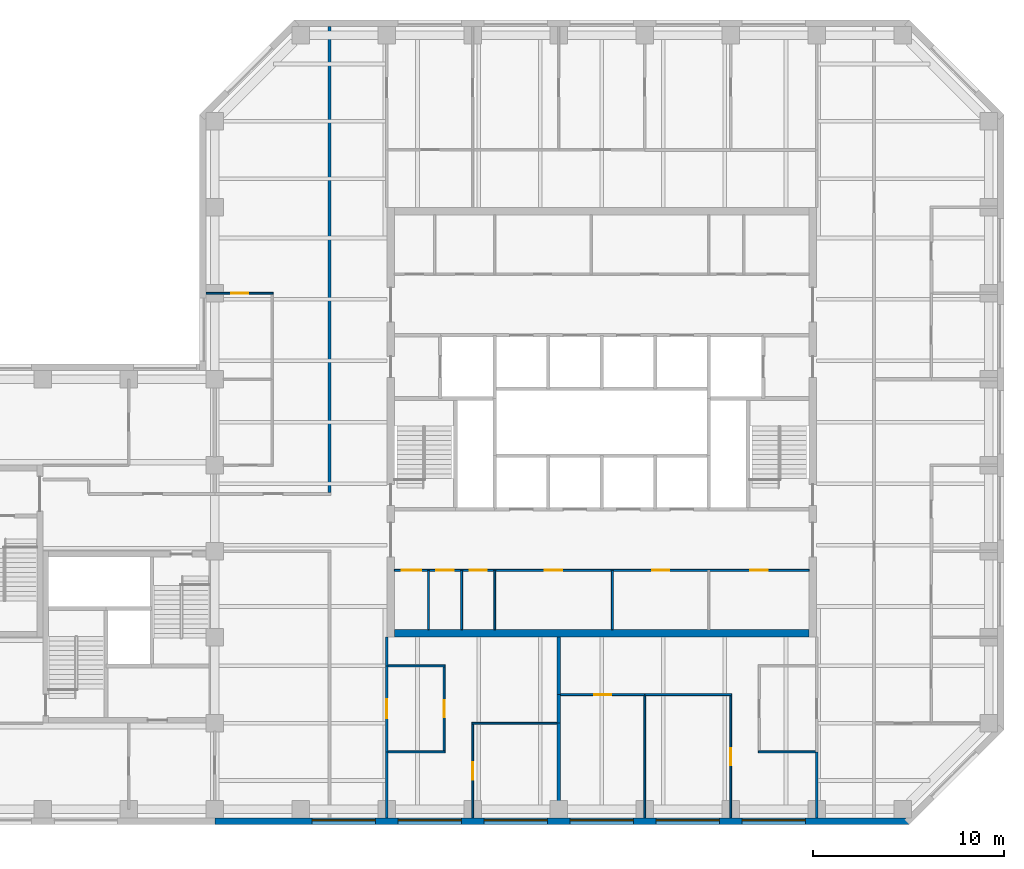
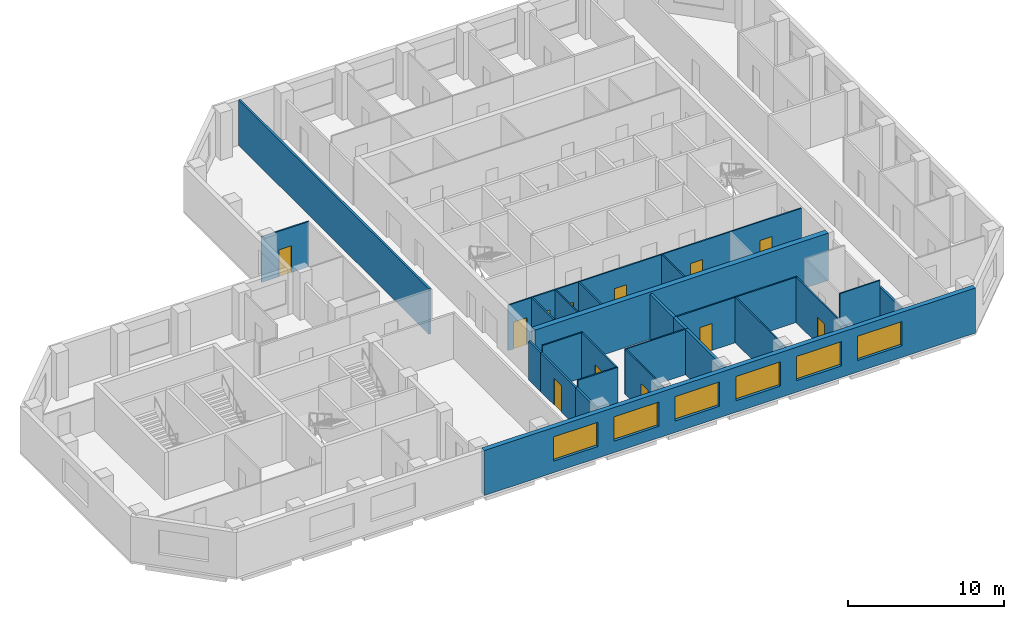
# One storey, part 4 of 9: 26 walls, 12 doors, 6 windows, 18 openings.
"""IFC4 building model written with IfcOpenShell, lengths in metres."""

import ifcopenshell
import ifcopenshell.guid

model = None  # the IFC model being written
_history = None  # IfcOwnerHistory: only IFC2X3 demands one
_inside = {}  # id of a spatial element -> (the spatial element, [elements in it])
_under = {}  # id of a project, library or spatial element -> (it, [spatial elements below it])
_declared = {}  # id of a project -> (the project, [libraries it declares])
_typed = {}  # id of a type object -> (the type object, [elements of that type])
_made_of = {}  # id of a material, layer set ... -> (it, [elements and type objects made of it])


def new_model(schema):
    """Start an empty IFC model of exactly this schema.

    Asked for "IFC4X3", IfcOpenShell would pick the latest addendum, in which some entities
    have other attributes; the version numbers below select the first issue.
    IFC2X3 requires an IfcOwnerHistory on every rooted entity: one is made here for all.
    """
    global model, _history
    if schema == "IFC4X3":
        model = ifcopenshell.file(schema_version=(4, 3, 0, 0))
    else:
        model = ifcopenshell.file(schema=schema)
    _inside.clear()
    _under.clear()
    _declared.clear()
    _typed.clear()
    _made_of.clear()
    _history = None
    if model.schema == "IFC2X3":
        org = make("IfcOrganization", Name="unknown")
        user = make(
            "IfcPersonAndOrganization",
            ThePerson=make("IfcPerson", FamilyName="unknown"),
            TheOrganization=org,
        )
        app = make(
            "IfcApplication",
            ApplicationDeveloper=org,
            Version="unknown",
            ApplicationFullName="unknown",
            ApplicationIdentifier="unknown",
        )
        _history = make(
            "IfcOwnerHistory",
            OwningUser=user,
            OwningApplication=app,
            ChangeAction="ADDED",
            CreationDate=0,
        )
    return model


def make(cls, **values):
    """One entity of the class cls with the attributes given. An attribute that is None is left unset."""
    return model.create_entity(
        cls, **{name: value for name, value in values.items() if value is not None}
    )


def rooted(cls, **values):
    """An entity with a GlobalId (a new one), such as an element, a storey or a relation."""
    return make(cls, GlobalId=ifcopenshell.guid.new(), OwnerHistory=_history, **values)


def si_unit(unit_type, name, prefix=None):
    """IfcSIUnit, for example si_unit("LENGTHUNIT", "METRE", prefix="MILLI")."""
    return make("IfcSIUnit", UnitType=unit_type, Prefix=prefix, Name=name)


def assignment(units):
    """IfcUnitAssignment: the units of a project."""
    return None if units is None else make("IfcUnitAssignment", Units=units)


def point(xyz):
    """IfcCartesianPoint."""
    return None if xyz is None else make("IfcCartesianPoint", Coordinates=xyz)


def direction(xyz):
    """IfcDirection."""
    return None if xyz is None else make("IfcDirection", DirectionRatios=xyz)


def frame(location, z_axis=None, x_axis=None):
    """IfcAxis2Placement3D, a coordinate frame: its origin and axes. An axis left out is left unset."""
    return make(
        "IfcAxis2Placement3D",
        Location=point(location),
        Axis=direction(z_axis),
        RefDirection=direction(x_axis),
    )


def frame_2d(location, x_axis=None):
    """IfcAxis2Placement2D, a coordinate frame in the plane: its origin and x axis."""
    return make(
        "IfcAxis2Placement2D", Location=point(location), RefDirection=direction(x_axis)
    )


def origin():
    """The frame at (0, 0, 0) with its axes left unset."""
    return frame((0.0, 0.0, 0.0))


def place(relative_to, where):
    """IfcLocalPlacement: puts the frame where relative to a parent placement (None: the world)."""
    return make(
        "IfcLocalPlacement", PlacementRelTo=relative_to, RelativePlacement=where
    )


def context(
    kind, dimensions, precision=None, world=None, true_north=None, identifier=None
):
    """IfcGeometricRepresentationContext, for example the 3D "Model" context."""
    return make(
        "IfcGeometricRepresentationContext",
        ContextIdentifier=identifier,
        ContextType=kind,
        CoordinateSpaceDimension=dimensions,
        Precision=precision,
        WorldCoordinateSystem=world,
        TrueNorth=true_north,
    )


def subcontext(parent, identifier, kind, view, scale=None):
    """IfcGeometricRepresentationSubContext, for example "Body" below "Model"."""
    return make(
        "IfcGeometricRepresentationSubContext",
        ContextIdentifier=identifier,
        ContextType=kind,
        ParentContext=parent,
        TargetScale=scale,
        TargetView=view,
    )


def project(units=None, contexts=None):
    """IfcProject with its units and contexts."""
    return rooted(
        "IfcProject",
        Name="project",
        RepresentationContexts=contexts,
        UnitsInContext=assignment(units),
    )


def spatial(cls, under=None, at=None, **own):
    """A site, building, storey or space (cls), placed at a placement, below another one or the project."""
    s = rooted(cls, ObjectPlacement=at, **own)
    if under is not None:
        _under.setdefault(under.id(), (under, []))[1].append(s)
    return s


def profile(cls, at=None, kind="AREA", **sizes):
    """A parametric profile (cls). Its sizes go by their IFC names, for example OverallWidth=200.0."""
    return make(cls, ProfileType=kind, Position=at, **sizes)


def rectangle(**sizes):
    """IfcRectangleProfileDef."""
    return profile("IfcRectangleProfileDef", **sizes)


def extrude(swept, where, along, depth):
    """IfcExtrudedAreaSolid: the profile swept, set in the frame where, extruded along a direction by depth."""
    return make(
        "IfcExtrudedAreaSolid",
        SweptArea=swept,
        Position=where,
        ExtrudedDirection=direction(along),
        Depth=depth,
    )


def shape(context_of_items, identifier, shape_type, items):
    """IfcShapeRepresentation: the items that make up one representation, for example the "Body"."""
    return make(
        "IfcShapeRepresentation",
        ContextOfItems=context_of_items,
        RepresentationIdentifier=identifier,
        RepresentationType=shape_type,
        Items=items,
    )


def material(Name=None, Category=None):
    """IfcMaterial."""
    return make("IfcMaterial", Name=Name, Category=Category)


def layer(
    of_material, thickness, ventilated=None, Name=None, Category=None, Priority=None
):
    """IfcMaterialLayer: one layer of a wall or slab, of a material (None: an air gap)."""
    return make(
        "IfcMaterialLayer",
        Material=of_material,
        LayerThickness=thickness,
        IsVentilated=ventilated,
        Name=Name,
        Category=Category,
        Priority=Priority,
    )


def layer_set(layers, Name=None):
    """IfcMaterialLayerSet."""
    return make("IfcMaterialLayerSet", MaterialLayers=layers, LayerSetName=Name)


def constituent(of_material, Name=None, Category=None, fraction=None):
    """IfcMaterialConstituent: one of the materials an element consists of."""
    return make(
        "IfcMaterialConstituent",
        Name=Name,
        Material=of_material,
        Fraction=fraction,
        Category=Category,
    )


def constituent_set(constituents=None, Name=None):
    """IfcMaterialConstituentSet."""
    return make(
        "IfcMaterialConstituentSet", Name=Name, MaterialConstituents=constituents
    )


def made_of(thing, what):
    """Note that an element or type object is made of a material, layer set ...; save() writes the relation."""
    if what is not None:
        _made_of.setdefault(what.id(), (what, []))[1].append(thing)
    return thing


def type_object(cls, material=None, **own):
    """A type object (cls), such as IfcWallType, which elements share."""
    return made_of(rooted(cls, **own), material)


def element(
    cls,
    number,
    at=None,
    inside=None,
    cuts=None,
    type_object=None,
    material=None,
    context=None,
    identifier="Body",
    shape_type=None,
    held_by="IfcProductDefinitionShape",
    body=None,
    shapes=None,
    **own,
):
    """One element of the class cls, such as IfcWall. Its Tag is "e" and its number.

    at: its placement. inside: the storey or other place that contains it. cuts: it is an
    opening in that element (IfcRelVoidsElement). A single representation is given by context,
    identifier, shape_type and body (its items); several are given by shapes. held_by: the class
    of the entity that holds the representations. save() writes the other relations.
    """
    e = rooted(cls, Tag="e%d" % number, ObjectPlacement=at, **own)
    if body is not None:
        shapes = [shape(context, identifier, shape_type, body)]
    if shapes is not None:
        e.Representation = make(held_by, Representations=shapes)
    if inside is not None:
        _inside.setdefault(inside.id(), (inside, []))[1].append(e)
    if cuts is not None:
        rooted(
            "IfcRelVoidsElement", RelatingBuildingElement=cuts, RelatedOpeningElement=e
        )
    if type_object is not None:
        _typed.setdefault(type_object.id(), (type_object, []))[1].append(e)
    return made_of(e, material)


def fill(opening, filler):
    """IfcRelFillsElement: the door or window that sits in an opening."""
    return rooted(
        "IfcRelFillsElement",
        RelatingOpeningElement=opening,
        RelatedBuildingElement=filler,
    )


def aggregate(whole, parts):
    """IfcRelAggregates: a whole, such as a stair, and the parts it consists of."""
    return rooted("IfcRelAggregates", RelatingObject=whole, RelatedObjects=parts)


def save(model, path):
    """Write the relations noted so far, then the file.

    IfcRelAggregates (storeys below a building ...), IfcRelContainedInSpatialStructure (elements
    in a storey), IfcRelDefinesByType, IfcRelAssociatesMaterial and IfcRelDeclares: one each for
    every whole, place, type object, material and project.
    """
    for whole, parts in _under.values():
        aggregate(whole, parts)
    for where, things in _inside.values():
        rooted(
            "IfcRelContainedInSpatialStructure",
            RelatedElements=things,
            RelatingStructure=where,
        )
    for kind, things in _typed.values():
        rooted("IfcRelDefinesByType", RelatedObjects=things, RelatingType=kind)
    for what, things in _made_of.values():
        rooted("IfcRelAssociatesMaterial", RelatedObjects=things, RelatingMaterial=what)
    for by, libraries in _declared.values():
        rooted("IfcRelDeclares", RelatingContext=by, RelatedDefinitions=libraries)
    model.write(path)


model = new_model("IFC4")

# Units and contexts
model_context = context("Model", 3, precision=1e-05, world=origin(), true_north=direction((0.0, 1.0)))
body_context = subcontext(model_context, "Body", "Model", "MODEL_VIEW")
ifc_project = project(units=[si_unit("LENGTHUNIT", "METRE"), si_unit("AREAUNIT", "SQUARE_METRE"), si_unit("VOLUMEUNIT", "CUBIC_METRE"), si_unit("PLANEANGLEUNIT", "RADIAN"), si_unit("MASSUNIT", "GRAM", prefix="KILO")], contexts=[model_context])

# Site, building, storey
site_placement = place(None, origin())
site = spatial("IfcSite", under=ifc_project, at=site_placement, CompositionType="ELEMENT")
building_placement = place(site_placement, origin())
building = spatial("IfcBuilding", under=site, at=building_placement, Name="Quoin Convention Tower", CompositionType="ELEMENT")
storey_placement = place(building_placement, frame((0.0, 0.0, 241.5)))
storey = spatial("IfcBuildingStorey", under=building, at=storey_placement, Name="L63", CompositionType="ELEMENT", Elevation=241.5)

# Wall, openings, windows
ifc_material_1 = material(Name="Brick masonry", Category="masonry")
ifc_layer_1 = layer(ifc_material_1, 0.35009765625)
ifc_layer_set_1 = layer_set([ifc_layer_1], Name="Brick masonry")
wall_type_1 = type_object("IfcWallType", Name="Brick facade wall", PredefinedType="STANDARD", material=ifc_layer_set_1)
wall_1_placement = place(storey_placement, frame((36.0, 39.875, 0.0), z_axis=(0.0, 0.0, 1.0), x_axis=(1.0, 0.0, 0.0)))
wall_1 = element("IfcWall", 1, at=wall_1_placement, inside=storey, type_object=wall_type_1, Name="fw-L63-36000_40500", PredefinedType="STANDARD", context=body_context, shape_type="SweptSolid", body=[
    extrude(rectangle(XDim=36.331298828125, YDim=0.35009765625, at=frame_2d((18.16552734375, 0.0))), origin(), (0.0, 0.0, 1.0), 3.52490234375),
])
opening_1_placement = place(wall_1_placement, frame((5.10009765625, 0.0, 0.89990234375)))
opening_1 = element("IfcOpeningElement", 2, at=opening_1_placement, cuts=wall_1, Name="Opening W-02", PredefinedType="OPENING", context=body_context, shape_type="SweptSolid", body=[
    extrude(rectangle(XDim=3.300048828125, YDim=1.89990234375, at=frame_2d((1.64990234375, 0.949951171875))), frame((0.0, 0.18505859375, 0.0), z_axis=(0.0, -1.0, 0.0), x_axis=(1.0, 0.0, 0.0)), (0.0, 0.0, 1.0), 0.3701171875),
])
opening_2_placement = place(wall_1_placement, frame((9.60009765625, 0.0, 0.89990234375)))
opening_2 = element("IfcOpeningElement", 3, at=opening_2_placement, cuts=wall_1, Name="Opening W-02", PredefinedType="OPENING", context=body_context, shape_type="SweptSolid", body=[
    extrude(rectangle(XDim=3.300048828125, YDim=1.89990234375, at=frame_2d((1.64990234375, 0.949951171875))), frame((0.0, 0.18505859375, 0.0), z_axis=(0.0, -1.0, 0.0), x_axis=(1.0, 0.0, 0.0)), (0.0, 0.0, 1.0), 0.3701171875),
])
opening_3_placement = place(wall_1_placement, frame((14.10009765625, 0.0, 0.89990234375)))
opening_3 = element("IfcOpeningElement", 4, at=opening_3_placement, cuts=wall_1, Name="Opening W-02", PredefinedType="OPENING", context=body_context, shape_type="SweptSolid", body=[
    extrude(rectangle(XDim=3.300048828125, YDim=1.89990234375, at=frame_2d((1.64990234375, 0.949951171875))), frame((0.0, 0.18505859375, 0.0), z_axis=(0.0, -1.0, 0.0), x_axis=(1.0, 0.0, 0.0)), (0.0, 0.0, 1.0), 0.3701171875),
])
opening_4_placement = place(wall_1_placement, frame((18.60009765625, 0.0, 0.89990234375)))
opening_4 = element("IfcOpeningElement", 5, at=opening_4_placement, cuts=wall_1, Name="Opening W-02", PredefinedType="OPENING", context=body_context, shape_type="SweptSolid", body=[
    extrude(rectangle(XDim=3.300048828125, YDim=1.89990234375, at=frame_2d((1.64990234375, 0.949951171875))), frame((0.0, 0.18505859375, 0.0), z_axis=(0.0, -1.0, 0.0), x_axis=(1.0, 0.0, 0.0)), (0.0, 0.0, 1.0), 0.3701171875),
])
opening_5_placement = place(wall_1_placement, frame((23.10009765625, 0.0, 0.89990234375)))
opening_5 = element("IfcOpeningElement", 6, at=opening_5_placement, cuts=wall_1, Name="Opening W-02", PredefinedType="OPENING", context=body_context, shape_type="SweptSolid", body=[
    extrude(rectangle(XDim=3.300048828125, YDim=1.89990234375, at=frame_2d((1.64990234375, 0.949951171875))), frame((0.0, 0.18505859375, 0.0), z_axis=(0.0, -1.0, 0.0), x_axis=(1.0, 0.0, 0.0)), (0.0, 0.0, 1.0), 0.3701171875),
])
opening_6_placement = place(wall_1_placement, frame((27.60009765625, 0.0, 0.89990234375)))
opening_6 = element("IfcOpeningElement", 7, at=opening_6_placement, cuts=wall_1, Name="Opening W-02", PredefinedType="OPENING", context=body_context, shape_type="SweptSolid", body=[
    extrude(rectangle(XDim=3.300048828125, YDim=1.89990234375, at=frame_2d((1.64990234375, 0.949951171875))), frame((0.0, 0.18505859375, 0.0), z_axis=(0.0, -1.0, 0.0), x_axis=(1.0, 0.0, 0.0)), (0.0, 0.0, 1.0), 0.3701171875),
])
ifc_material_2 = material(Name="Aluminium", Category="aluminium")
ifc_constituent_1 = constituent(ifc_material_2, Name="Frame")
ifc_material_3 = material(Name="Insulated glass", Category="glass")
ifc_constituent_2 = constituent(ifc_material_3, Name="Glazing")
ifc_constituent_set = constituent_set(constituents=[ifc_constituent_1, ifc_constituent_2], Name="Aluminium")
window_type = type_object("IfcWindowType", Name="Office window", PartitioningType="DOUBLE_PANEL_VERTICAL", PredefinedType="WINDOW", material=ifc_constituent_set)
window_1_placement = place(opening_1_placement, origin())
window_1 = element("IfcWindow", 8, at=window_1_placement, inside=storey, type_object=window_type, Name="win-L63-42750_39875", OverallHeight=1.89990234375, OverallWidth=3.300048828125, PartitioningType="SINGLE_PANEL", PredefinedType="WINDOW", context=body_context, shape_type="SweptSolid", body=[
    extrude(rectangle(XDim=3.300048828125, YDim=1.89990234375, at=frame_2d((1.64990234375, 0.949951171875))), frame((0.0, 0.0849609375, 0.0), z_axis=(0.0, -1.0, 0.0), x_axis=(1.0, 0.0, 0.0)), (0.0, 0.0, 1.0), 0.06005859375),
])
fill(opening_1, window_1)
window_2_placement = place(opening_2_placement, origin())
window_2 = element("IfcWindow", 9, at=window_2_placement, inside=storey, type_object=window_type, Name="win-L63-47250_39875", OverallHeight=1.89990234375, OverallWidth=3.300048828125, PartitioningType="SINGLE_PANEL", PredefinedType="WINDOW", context=body_context, shape_type="SweptSolid", body=[
    extrude(rectangle(XDim=3.300048828125, YDim=1.89990234375, at=frame_2d((1.64990234375, 0.949951171875))), frame((0.0, 0.0849609375, 0.0), z_axis=(0.0, -1.0, 0.0), x_axis=(1.0, 0.0, 0.0)), (0.0, 0.0, 1.0), 0.06005859375),
])
fill(opening_2, window_2)
window_3_placement = place(opening_3_placement, origin())
window_3 = element("IfcWindow", 10, at=window_3_placement, inside=storey, type_object=window_type, Name="win-L63-51750_39875", OverallHeight=1.89990234375, OverallWidth=3.300048828125, PartitioningType="SINGLE_PANEL", PredefinedType="WINDOW", context=body_context, shape_type="SweptSolid", body=[
    extrude(rectangle(XDim=3.300048828125, YDim=1.89990234375, at=frame_2d((1.64990234375, 0.949951171875))), frame((0.0, 0.0849609375, 0.0), z_axis=(0.0, -1.0, 0.0), x_axis=(1.0, 0.0, 0.0)), (0.0, 0.0, 1.0), 0.06005859375),
])
fill(opening_3, window_3)
window_4_placement = place(opening_4_placement, origin())
window_4 = element("IfcWindow", 11, at=window_4_placement, inside=storey, type_object=window_type, Name="win-L63-56250_39875", OverallHeight=1.89990234375, OverallWidth=3.300048828125, PartitioningType="SINGLE_PANEL", PredefinedType="WINDOW", context=body_context, shape_type="SweptSolid", body=[
    extrude(rectangle(XDim=3.300048828125, YDim=1.89990234375, at=frame_2d((1.64990234375, 0.949951171875))), frame((0.0, 0.0849609375, 0.0), z_axis=(0.0, -1.0, 0.0), x_axis=(1.0, 0.0, 0.0)), (0.0, 0.0, 1.0), 0.06005859375),
])
fill(opening_4, window_4)
window_5_placement = place(opening_5_placement, origin())
window_5 = element("IfcWindow", 12, at=window_5_placement, inside=storey, type_object=window_type, Name="win-L63-60750_39875", OverallHeight=1.89990234375, OverallWidth=3.300048828125, PartitioningType="SINGLE_PANEL", PredefinedType="WINDOW", context=body_context, shape_type="SweptSolid", body=[
    extrude(rectangle(XDim=3.300048828125, YDim=1.89990234375, at=frame_2d((1.64990234375, 0.949951171875))), frame((0.0, 0.0849609375, 0.0), z_axis=(0.0, -1.0, 0.0), x_axis=(1.0, 0.0, 0.0)), (0.0, 0.0, 1.0), 0.06005859375),
])
fill(opening_5, window_5)
window_6_placement = place(opening_6_placement, origin())
window_6 = element("IfcWindow", 13, at=window_6_placement, inside=storey, type_object=window_type, Name="win-L63-65250_39875", OverallHeight=1.89990234375, OverallWidth=3.300048828125, PartitioningType="SINGLE_PANEL", PredefinedType="WINDOW", context=body_context, shape_type="SweptSolid", body=[
    extrude(rectangle(XDim=3.300048828125, YDim=1.89990234375, at=frame_2d((1.64990234375, 0.949951171875))), frame((0.0, 0.0849609375, 0.0), z_axis=(0.0, -1.0, 0.0), x_axis=(1.0, 0.0, 0.0)), (0.0, 0.0, 1.0), 0.06005859375),
])
fill(opening_6, window_6)

# Wall, openings, doors
ifc_material_4 = material(Name="Plasterboard")
ifc_layer_2 = layer(ifc_material_4, 0.012451171875, Name="Finish")
ifc_material_5 = material(Name="Steel stud framing", Category="steel")
ifc_layer_3 = layer(ifc_material_5, 0.074951171875, Name="Structure")
ifc_layer_4 = layer(ifc_material_4, 0.012451171875, Name="Finish")
ifc_layer_set_2 = layer_set([ifc_layer_2, ifc_layer_3, ifc_layer_4], Name="Steel stud framing")
wall_type_2 = type_object("IfcWallType", Name="Core partition wall", PredefinedType="PARTITIONING", material=ifc_layer_set_2)
wall_2_placement = place(storey_placement, frame((45.39990234375, 53.0, 0.0), z_axis=(0.0, 0.0, 1.0), x_axis=(1.0, 0.0, 0.0)))
wall_2 = element("IfcWall", 14, at=wall_2_placement, inside=storey, type_object=wall_type_2, Name="cr-C1-L63-h3500_400", PredefinedType="PARTITIONING", context=body_context, shape_type="SweptSolid", body=[
    extrude(rectangle(XDim=21.7001953125, YDim=0.10009765625, at=frame_2d((10.85009765625, 0.0))), origin(), (0.0, 0.0, 1.0), 3.550048828125),
])
opening_7_placement = place(wall_2_placement, frame((18.625, 0.0, 0.0)))
opening_7 = element("IfcOpeningElement", 15, at=opening_7_placement, cuts=wall_2, Name="Opening DCV3-30", PredefinedType="OPENING", context=body_context, shape_type="SweptSolid", body=[
    extrude(rectangle(XDim=0.89990234375, YDim=2.10009765625, at=frame_2d((0.449951171875, 1.050048828125))), frame((0.0, 0.06005859375, 0.0), z_axis=(0.0, -1.0, 0.0), x_axis=(1.0, 0.0, 0.0)), (0.0, 0.0, 1.0), 0.1201171875),
])
opening_8_placement = place(wall_2_placement, frame((0.392578125, 0.0, 0.0)))
opening_8 = element("IfcOpeningElement", 16, at=opening_8_placement, cuts=wall_2, Name="Opening DCV3-21", PredefinedType="OPENING", context=body_context, shape_type="SweptSolid", body=[
    extrude(rectangle(XDim=1.0, YDim=2.10009765625, at=frame_2d((0.5, 1.050048828125))), frame((0.0, 0.06005859375, 0.0), z_axis=(0.0, -1.0, 0.0), x_axis=(1.0, 0.0, 0.0)), (0.0, 0.0, 1.0), 0.1201171875),
])
opening_9_placement = place(wall_2_placement, frame((2.201416015625, 0.0, 0.0)))
opening_9 = element("IfcOpeningElement", 17, at=opening_9_placement, cuts=wall_2, Name="Opening DCV3-22", PredefinedType="OPENING", context=body_context, shape_type="SweptSolid", body=[
    extrude(rectangle(XDim=0.89990234375, YDim=2.10009765625, at=frame_2d((0.449951171875, 1.050048828125))), frame((0.0, 0.06005859375, 0.0), z_axis=(0.0, -1.0, 0.0), x_axis=(1.0, 0.0, 0.0)), (0.0, 0.0, 1.0), 0.1201171875),
])
opening_10_placement = place(wall_2_placement, frame((3.93359375, 0.0, 0.0)))
opening_10 = element("IfcOpeningElement", 18, at=opening_10_placement, cuts=wall_2, Name="Opening DCV3-23", PredefinedType="OPENING", context=body_context, shape_type="SweptSolid", body=[
    extrude(rectangle(XDim=0.89990234375, YDim=2.10009765625, at=frame_2d((0.449951171875, 1.050048828125))), frame((0.0, 0.06005859375, 0.0), z_axis=(0.0, -1.0, 0.0), x_axis=(1.0, 0.0, 0.0)), (0.0, 0.0, 1.0), 0.1201171875),
])
opening_11_placement = place(wall_2_placement, frame((7.8798828125, 0.0, 0.0)))
opening_11 = element("IfcOpeningElement", 19, at=opening_11_placement, cuts=wall_2, Name="Opening DCV3-25", PredefinedType="OPENING", context=body_context, shape_type="SweptSolid", body=[
    extrude(rectangle(XDim=0.89990234375, YDim=2.10009765625, at=frame_2d((0.449951171875, 1.050048828125))), frame((0.0, 0.06005859375, 0.0), z_axis=(0.0, -1.0, 0.0), x_axis=(1.0, 0.0, 0.0)), (0.0, 0.0, 1.0), 0.1201171875),
])
opening_12_placement = place(wall_2_placement, frame((13.47998046875, 0.0, 0.0)))
opening_12 = element("IfcOpeningElement", 20, at=opening_12_placement, cuts=wall_2, Name="Opening DCV3-28", PredefinedType="OPENING", context=body_context, shape_type="SweptSolid", body=[
    extrude(rectangle(XDim=0.89990234375, YDim=2.10009765625, at=frame_2d((0.449951171875, 1.050048828125))), frame((0.0, 0.06005859375, 0.0), z_axis=(0.0, -1.0, 0.0), x_axis=(1.0, 0.0, 0.0)), (0.0, 0.0, 1.0), 0.1201171875),
])
ifc_material_6 = material(Name="Steel door leaf", Category="steel")
door_type_1 = type_object("IfcDoorType", Name="Core room door 1000 x 2100", OperationType="SINGLE_SWING_LEFT", PredefinedType="DOOR", material=ifc_material_6)
door_1_placement = place(opening_8_placement, frame((1.0, 0.0, 0.0), z_axis=(0.0, 0.0, 1.0), x_axis=(-1.0, 0.0, 0.0)))
door_1 = element("IfcDoor", 21, at=door_1_placement, inside=storey, type_object=door_type_1, Name="cd-C1-L63-CSW0-lobA-CD6312", OperationType="SINGLE_SWING_LEFT", OverallHeight=2.10009765625, OverallWidth=1.0, PredefinedType="DOOR", context=body_context, shape_type="SweptSolid", body=[
    extrude(rectangle(XDim=1.0, YDim=2.10009765625, at=frame_2d((0.5, 1.050048828125))), frame((0.0, 0.02490234375, 0.0), z_axis=(0.0, -1.0, 0.0), x_axis=(1.0, 0.0, 0.0)), (0.0, 0.0, 1.0), 0.050048828125),
])
fill(opening_8, door_1)
door_type_2 = type_object("IfcDoorType", Name="Core room door 900 x 2100", OperationType="SINGLE_SWING_LEFT", PredefinedType="DOOR", material=ifc_material_6)
door_2_placement = place(opening_7_placement, frame((0.89990234375, 0.0, 0.0), z_axis=(0.0, 0.0, 1.0), x_axis=(-1.0, 0.0, 0.0)))
door_2 = element("IfcDoor", 22, at=door_2_placement, inside=storey, type_object=door_type_2, Name="cd-C1-L63-CSE0-lobA-CD6311", OperationType="SINGLE_SWING_RIGHT", OverallHeight=2.10009765625, OverallWidth=0.89990234375, PredefinedType="DOOR", context=body_context, shape_type="SweptSolid", body=[
    extrude(rectangle(XDim=0.89990234375, YDim=2.10009765625, at=frame_2d((0.449951171875, 1.050048828125))), frame((0.0, 0.02490234375, 0.0), z_axis=(0.0, -1.0, 0.0), x_axis=(1.0, 0.0, 0.0)), (0.0, 0.0, 1.0), 0.050048828125),
])
fill(opening_7, door_2)
door_3_placement = place(opening_9_placement, frame((0.89990234375, 0.0, 0.0), z_axis=(0.0, 0.0, 1.0), x_axis=(-1.0, 0.0, 0.0)))
door_3 = element("IfcDoor", 23, at=door_3_placement, inside=storey, type_object=door_type_2, Name="cd-C1-L63-CSW1-lobA-CD6313", OperationType="SINGLE_SWING_LEFT", OverallHeight=2.10009765625, OverallWidth=0.89990234375, PredefinedType="DOOR", context=body_context, shape_type="SweptSolid", body=[
    extrude(rectangle(XDim=0.89990234375, YDim=2.10009765625, at=frame_2d((0.449951171875, 1.050048828125))), frame((0.0, 0.02490234375, 0.0), z_axis=(0.0, -1.0, 0.0), x_axis=(1.0, 0.0, 0.0)), (0.0, 0.0, 1.0), 0.050048828125),
])
fill(opening_9, door_3)
door_4_placement = place(opening_10_placement, frame((0.89990234375, 0.0, 0.0), z_axis=(0.0, 0.0, 1.0), x_axis=(-1.0, 0.0, 0.0)))
door_4 = element("IfcDoor", 24, at=door_4_placement, inside=storey, type_object=door_type_2, Name="cd-C1-L63-CSW2-lobA-CD6314", OperationType="SINGLE_SWING_LEFT", OverallHeight=2.10009765625, OverallWidth=0.89990234375, PredefinedType="DOOR", context=body_context, shape_type="SweptSolid", body=[
    extrude(rectangle(XDim=0.89990234375, YDim=2.10009765625, at=frame_2d((0.449951171875, 1.050048828125))), frame((0.0, 0.02490234375, 0.0), z_axis=(0.0, -1.0, 0.0), x_axis=(1.0, 0.0, 0.0)), (0.0, 0.0, 1.0), 0.050048828125),
])
fill(opening_10, door_4)
door_5_placement = place(opening_11_placement, frame((0.89990234375, 0.0, 0.0), z_axis=(0.0, 0.0, 1.0), x_axis=(-1.0, 0.0, 0.0)))
door_5 = element("IfcDoor", 25, at=door_5_placement, inside=storey, type_object=door_type_2, Name="cd-C1-L63-F10-lobA-CD6315", OperationType="SINGLE_SWING_LEFT", OverallHeight=2.10009765625, OverallWidth=0.89990234375, PredefinedType="DOOR", context=body_context, shape_type="SweptSolid", body=[
    extrude(rectangle(XDim=0.89990234375, YDim=2.10009765625, at=frame_2d((0.449951171875, 1.050048828125))), frame((0.0, 0.02490234375, 0.0), z_axis=(0.0, -1.0, 0.0), x_axis=(1.0, 0.0, 0.0)), (0.0, 0.0, 1.0), 0.050048828125),
])
fill(opening_11, door_5)
door_6_placement = place(opening_12_placement, frame((0.89990234375, 0.0, 0.0), z_axis=(0.0, 0.0, 1.0), x_axis=(-1.0, 0.0, 0.0)))
door_6 = element("IfcDoor", 26, at=door_6_placement, inside=storey, type_object=door_type_2, Name="cd-C1-L63-F11-lobA-CD6316", OperationType="SINGLE_SWING_LEFT", OverallHeight=2.10009765625, OverallWidth=0.89990234375, PredefinedType="DOOR", context=body_context, shape_type="SweptSolid", body=[
    extrude(rectangle(XDim=0.89990234375, YDim=2.10009765625, at=frame_2d((0.449951171875, 1.050048828125))), frame((0.0, 0.02490234375, 0.0), z_axis=(0.0, -1.0, 0.0), x_axis=(1.0, 0.0, 0.0)), (0.0, 0.0, 1.0), 0.050048828125),
])
fill(opening_12, door_6)

# Walls
for number, where, z_axis, x_axis, name in (
    (27, (47.18505859375, 49.89990234375, 0.0), (0.0, 0.0, 1.0), (0.0, 1.0, 0.0), "cr-C1-L63-v2185_400"),
    (28, (48.91748046875, 49.89990234375, 0.0), (0.0, 0.0, 1.0), (0.0, 1.0, 0.0), "cr-C1-L63-v3918_400"),
    (29, (50.64990234375, 49.89990234375, 0.0), (0.0, 0.0, 1.0), (0.0, 1.0, 0.0), "cr-C1-L63-v5650_400"),
    (30, (56.81005859375, 49.89990234375, 0.0), (0.0, 0.0, 1.0), (0.0, 1.0, 0.0), "cr-C1-L63-v11810_400"),
):
    element("IfcWall", number, at=place(storey_placement, frame(where, z_axis=z_axis, x_axis=x_axis)), inside=storey, type_object=wall_type_2, Name=name, PredefinedType="PARTITIONING", context=body_context, shape_type="SweptSolid", body=[
        extrude(rectangle(XDim=3.10009765625, YDim=0.10009765625, at=frame_2d((1.550048828125, 0.0))), origin(), (0.0, 0.0, 1.0), 3.550048828125),
    ])
ifc_layer_5 = layer(ifc_material_4, 0.012451171875, Name="Finish")
ifc_layer_6 = layer(ifc_material_5, 0.125, Name="Structure")
ifc_layer_7 = layer(ifc_material_4, 0.012451171875, Name="Finish")
ifc_layer_set_3 = layer_set([ifc_layer_5, ifc_layer_6, ifc_layer_7], Name="Steel stud framing")
wall_type_3 = type_object("IfcWallType", Name="Corridor wall 150", PredefinedType="PARTITIONING", material=ifc_layer_set_3)
wall_3_placement = place(storey_placement, frame((42.0, 57.074951171875, 0.0), z_axis=(0.0, 0.0, 1.0), x_axis=(0.0, 1.0, 0.0)))
element("IfcWall", 31, at=wall_3_placement, inside=storey, type_object=wall_type_3, Name="pw-L63-062", PredefinedType="PARTITIONING", context=body_context, shape_type="SweptSolid", body=[
    extrude(rectangle(XDim=24.375, YDim=0.14990234375, at=frame_2d((12.1875, 0.0))), origin(), (0.0, 0.0, 1.0), 3.550048828125),
])
ifc_layer_8 = layer(ifc_material_4, 0.012451171875, Name="Finish")
ifc_layer_9 = layer(ifc_material_5, 0.125, Name="Structure")
ifc_layer_10 = layer(ifc_material_4, 0.012451171875, Name="Finish")
ifc_layer_set_4 = layer_set([ifc_layer_8, ifc_layer_9, ifc_layer_10], Name="Steel stud framing")
wall_type_4 = type_object("IfcWallType", Name="Corridor wall 150 under beam 528", PredefinedType="PARTITIONING", material=ifc_layer_set_4)
for number, where, z_axis, x_axis, name in (
    (32, (45.0, 40.050048828125, 0.0), (0.0, 0.0, 1.0), (0.0, 1.0, 0.0), "pw-L63-036"),
    (33, (67.5, 40.050048828125, 0.0), (0.0, 0.0, 1.0), (0.0, 1.0, 0.0), "pw-L63-041"),
):
    element("IfcWall", number, at=place(storey_placement, frame(where, z_axis=z_axis, x_axis=x_axis)), inside=storey, type_object=wall_type_4, Name=name, PredefinedType="PARTITIONING", context=body_context, shape_type="SweptSolid", body=[
        extrude(rectangle(XDim=3.449951171875, YDim=0.14990234375, at=frame_2d((1.72509765625, 0.0))), origin(), (0.0, 0.0, 1.0), 3.02197265625),
    ])

# Wall, opening, door
wall_4_placement = place(storey_placement, frame((45.0, 43.5, 0.0), z_axis=(0.0, 0.0, 1.0), x_axis=(0.0, 1.0, 0.0)))
wall_4 = element("IfcWall", 34, at=wall_4_placement, inside=storey, type_object=wall_type_4, Name="pw-L63-044", PredefinedType="PARTITIONING", context=body_context, shape_type="SweptSolid", body=[
    extrude(rectangle(XDim=4.5, YDim=0.14990234375, at=frame_2d((2.25, 0.0))), origin(), (0.0, 0.0, 1.0), 3.02197265625),
])
opening_13_placement = place(wall_4_placement, frame((1.75, 0.0, 0.0)))
opening_13 = element("IfcOpeningElement", 35, at=opening_13_placement, cuts=wall_4, Name="Opening DOH11-12", PredefinedType="OPENING", context=body_context, shape_type="SweptSolid", body=[
    extrude(rectangle(XDim=1.0, YDim=2.10009765625, at=frame_2d((0.5, 1.050048828125))), frame((0.0, 0.0849609375, 0.0), z_axis=(0.0, -1.0, 0.0), x_axis=(1.0, 0.0, 0.0)), (0.0, 0.0, 1.0), 0.169921875),
])
door_type_3 = type_object("IfcDoorType", Name="Tenancy entrance door 1000 x 2100", OperationType="DOUBLE_DOOR_SINGLE_SWING", PredefinedType="DOOR", material=ifc_material_6)
door_7_placement = place(opening_13_placement, frame((1.0, 0.0, 0.0), z_axis=(0.0, 0.0, 1.0), x_axis=(-1.0, 0.0, 0.0)))
door_7 = element("IfcDoor", 36, at=door_7_placement, inside=storey, type_object=door_type_3, Name="dr-L63-10", OperationType="DOUBLE_DOOR_SINGLE_SWING", OverallHeight=2.10009765625, OverallWidth=1.0, PredefinedType="DOOR", context=body_context, shape_type="SweptSolid", body=[
    extrude(rectangle(XDim=1.0, YDim=2.10009765625, at=frame_2d((0.5, 1.050048828125))), frame((0.0, 0.02490234375, 0.0), z_axis=(0.0, -1.0, 0.0), x_axis=(1.0, 0.0, 0.0)), (0.0, 0.0, 1.0), 0.050048828125),
])
fill(opening_13, door_7)

# Walls
wall_5_placement = place(storey_placement, frame((45.0, 48.0, 0.0), z_axis=(0.0, 0.0, 1.0), x_axis=(0.0, 1.0, 0.0)))
element("IfcWall", 37, at=wall_5_placement, inside=storey, type_object=wall_type_4, Name="pw-L63-056", PredefinedType="PARTITIONING", context=body_context, shape_type="SweptSolid", body=[
    extrude(rectangle(XDim=1.5, YDim=0.14990234375, at=frame_2d((0.75, 0.0))), origin(), (0.0, 0.0, 1.0), 3.02197265625),
])
ifc_material_7 = material(Name="Concrete C50", Category="concrete")
ifc_layer_11 = layer(ifc_material_7, 0.39990234375)
ifc_layer_set_5 = layer_set([ifc_layer_11], Name="Concrete C50")
wall_type_5 = type_object("IfcWallType", Name="RC CORE WALL 400 C50", PredefinedType="SHEAR", material=ifc_layer_set_5)
wall_6_placement = place(storey_placement, frame((45.39990234375, 49.699951171875, 0.0), z_axis=(0.0, 0.0, 1.0), x_axis=(1.0, 0.0, 0.0)))
element("IfcWall", 38, at=wall_6_placement, inside=storey, type_object=wall_type_5, Name="cwl-C1-L63-S", PredefinedType="SHEAR", context=body_context, shape_type="SweptSolid", body=[
    extrude(rectangle(XDim=21.7001953125, YDim=0.39990234375, at=frame_2d((10.85009765625, 0.0))), origin(), (0.0, 0.0, 1.0), 3.699951171875),
])
ifc_layer_12 = layer(ifc_material_4, 0.012451171875, Name="Finish")
ifc_layer_13 = layer(ifc_material_5, 0.074951171875, Name="Structure")
ifc_layer_14 = layer(ifc_material_4, 0.012451171875, Name="Finish")
ifc_layer_set_6 = layer_set([ifc_layer_12, ifc_layer_13, ifc_layer_14], Name="Steel stud framing")
wall_type_6 = type_object("IfcWallType", Name="Stud partition 100", PredefinedType="PARTITIONING", material=ifc_layer_set_6)
for number, where, z_axis, x_axis, name in (
    (39, (45.074951171875, 43.5, 0.0), (0.0, 0.0, 1.0), (1.0, 0.0, 0.0), "pw-L63-001"),
    (40, (64.449951171875, 43.5, 0.0), (0.0, 0.0, 1.0), (1.0, 0.0, 0.0), "pw-L63-002"),
):
    element("IfcWall", number, at=place(storey_placement, frame(where, z_axis=z_axis, x_axis=x_axis)), inside=storey, type_object=wall_type_6, Name=name, PredefinedType="PARTITIONING", context=body_context, shape_type="SweptSolid", body=[
        extrude(rectangle(XDim=2.97509765625, YDim=0.10009765625, at=frame_2d((1.487548828125, 0.0))), origin(), (0.0, 0.0, 1.0), 3.550048828125),
    ])
wall_7_placement = place(storey_placement, frame((49.449951171875, 45.0, 0.0), z_axis=(0.0, 0.0, 1.0), x_axis=(1.0, 0.0, 0.0)))
element("IfcWall", 41, at=wall_7_placement, inside=storey, type_object=wall_type_6, Name="pw-L63-005", PredefinedType="PARTITIONING", context=body_context, shape_type="SweptSolid", body=[
    extrude(rectangle(XDim=4.449951171875, YDim=0.10009765625, at=frame_2d((2.22509765625, 0.0))), origin(), (0.0, 0.0, 1.0), 3.550048828125),
])

# Wall, opening, door
wall_8_placement = place(storey_placement, frame((54.10009765625, 46.5, 0.0), z_axis=(0.0, 0.0, 1.0), x_axis=(1.0, 0.0, 0.0)))
wall_8 = element("IfcWall", 42, at=wall_8_placement, inside=storey, type_object=wall_type_6, Name="pw-L63-009", PredefinedType="PARTITIONING", context=body_context, shape_type="SweptSolid", body=[
    extrude(rectangle(XDim=4.39990234375, YDim=0.10009765625, at=frame_2d((2.199951171875, 0.0))), origin(), (0.0, 0.0, 1.0), 3.550048828125),
])
opening_14_placement = place(wall_8_placement, frame((1.75, 0.0, 0.0)))
opening_14 = element("IfcOpeningElement", 43, at=opening_14_placement, cuts=wall_8, Name="Opening DOH11-02", PredefinedType="OPENING", context=body_context, shape_type="SweptSolid", body=[
    extrude(rectangle(XDim=0.89990234375, YDim=2.10009765625, at=frame_2d((0.449951171875, 1.050048828125))), frame((0.0, 0.06005859375, 0.0), z_axis=(0.0, -1.0, 0.0), x_axis=(1.0, 0.0, 0.0)), (0.0, 0.0, 1.0), 0.1201171875),
])
door_type_4 = type_object("IfcDoorType", Name="Office door 900 x 2100", OperationType="SINGLE_SWING_RIGHT", PredefinedType="DOOR", material=ifc_material_6)
door_8_placement = place(opening_14_placement, origin())
door_8 = element("IfcDoor", 44, at=door_8_placement, inside=storey, type_object=door_type_4, Name="dr-L63-15", OperationType="SINGLE_SWING_RIGHT", OverallHeight=2.10009765625, OverallWidth=0.89990234375, PredefinedType="DOOR", context=body_context, shape_type="SweptSolid", body=[
    extrude(rectangle(XDim=0.89990234375, YDim=2.10009765625, at=frame_2d((0.449951171875, 1.050048828125))), frame((0.0, 0.02490234375, 0.0), z_axis=(0.0, -1.0, 0.0), x_axis=(1.0, 0.0, 0.0)), (0.0, 0.0, 1.0), 0.050048828125),
])
fill(opening_14, door_8)

# Walls
wall_9_placement = place(storey_placement, frame((58.5, 46.5, 0.0), z_axis=(0.0, 0.0, 1.0), x_axis=(1.0, 0.0, 0.0)))
element("IfcWall", 45, at=wall_9_placement, inside=storey, type_object=wall_type_6, Name="pw-L63-010", PredefinedType="PARTITIONING", context=body_context, shape_type="SweptSolid", body=[
    extrude(rectangle(XDim=4.550048828125, YDim=0.10009765625, at=frame_2d((2.27490234375, 0.0))), origin(), (0.0, 0.0, 1.0), 3.550048828125),
])
wall_10_placement = place(storey_placement, frame((45.074951171875, 48.0, 0.0), z_axis=(0.0, 0.0, 1.0), x_axis=(1.0, 0.0, 0.0)))
element("IfcWall", 46, at=wall_10_placement, inside=storey, type_object=wall_type_6, Name="pw-L63-011", PredefinedType="PARTITIONING", context=body_context, shape_type="SweptSolid", body=[
    extrude(rectangle(XDim=2.97509765625, YDim=0.10009765625, at=frame_2d((1.487548828125, 0.0))), origin(), (0.0, 0.0, 1.0), 3.550048828125),
])

# Wall, opening, door
wall_11_placement = place(storey_placement, frame((35.550048828125, 67.5, 0.0), z_axis=(0.0, 0.0, 1.0), x_axis=(1.0, 0.0, 0.0)))
wall_11 = element("IfcWall", 47, at=wall_11_placement, inside=storey, type_object=wall_type_6, Name="pw-L63-026", PredefinedType="PARTITIONING", context=body_context, shape_type="SweptSolid", body=[
    extrude(rectangle(XDim=3.5, YDim=0.10009765625, at=frame_2d((1.75, 0.0))), origin(), (0.0, 0.0, 1.0), 3.550048828125),
])
opening_15_placement = place(wall_11_placement, frame((1.300048828125, 0.0, 0.0)))
opening_15 = element("IfcOpeningElement", 48, at=opening_15_placement, cuts=wall_11, Name="Opening DOH11-06", PredefinedType="OPENING", context=body_context, shape_type="SweptSolid", body=[
    extrude(rectangle(XDim=0.89990234375, YDim=2.10009765625, at=frame_2d((0.449951171875, 1.050048828125))), frame((0.0, 0.06005859375, 0.0), z_axis=(0.0, -1.0, 0.0), x_axis=(1.0, 0.0, 0.0)), (0.0, 0.0, 1.0), 0.1201171875),
])
door_9_placement = place(opening_15_placement, origin())
door_9 = element("IfcDoor", 49, at=door_9_placement, inside=storey, type_object=door_type_4, Name="dr-L63-09", OperationType="SINGLE_SWING_RIGHT", OverallHeight=2.10009765625, OverallWidth=0.89990234375, PredefinedType="DOOR", context=body_context, shape_type="SweptSolid", body=[
    extrude(rectangle(XDim=0.89990234375, YDim=2.10009765625, at=frame_2d((0.449951171875, 1.050048828125))), frame((0.0, 0.02490234375, 0.0), z_axis=(0.0, -1.0, 0.0), x_axis=(1.0, 0.0, 0.0)), (0.0, 0.0, 1.0), 0.050048828125),
])
fill(opening_15, door_9)

wall_12_placement = place(storey_placement, frame((49.5, 40.050048828125, 0.0), z_axis=(0.0, 0.0, 1.0), x_axis=(0.0, 1.0, 0.0)))
wall_12 = element("IfcWall", 50, at=wall_12_placement, inside=storey, type_object=wall_type_6, Name="pw-L63-037", PredefinedType="PARTITIONING", context=body_context, shape_type="SweptSolid", body=[
    extrude(rectangle(XDim=4.89990234375, YDim=0.10009765625, at=frame_2d((2.449951171875, 0.0))), origin(), (0.0, 0.0, 1.0), 3.550048828125),
])
opening_16_placement = place(wall_12_placement, frame((2.0, 0.0, 0.0)))
opening_16 = element("IfcOpeningElement", 51, at=opening_16_placement, cuts=wall_12, Name="Opening DOH11-09", PredefinedType="OPENING", context=body_context, shape_type="SweptSolid", body=[
    extrude(rectangle(XDim=0.89990234375, YDim=2.10009765625, at=frame_2d((0.449951171875, 1.050048828125))), frame((0.0, 0.06005859375, 0.0), z_axis=(0.0, -1.0, 0.0), x_axis=(1.0, 0.0, 0.0)), (0.0, 0.0, 1.0), 0.1201171875),
])
door_10_placement = place(opening_16_placement, origin())
door_10 = element("IfcDoor", 52, at=door_10_placement, inside=storey, type_object=door_type_4, Name="dr-L63-12", OperationType="SINGLE_SWING_RIGHT", OverallHeight=2.10009765625, OverallWidth=0.89990234375, PredefinedType="DOOR", context=body_context, shape_type="SweptSolid", body=[
    extrude(rectangle(XDim=0.89990234375, YDim=2.10009765625, at=frame_2d((0.449951171875, 1.050048828125))), frame((0.0, 0.02490234375, 0.0), z_axis=(0.0, -1.0, 0.0), x_axis=(1.0, 0.0, 0.0)), (0.0, 0.0, 1.0), 0.050048828125),
])
fill(opening_16, door_10)

# Wall
wall_13_placement = place(storey_placement, frame((58.5, 40.050048828125, 0.0), z_axis=(0.0, 0.0, 1.0), x_axis=(0.0, 1.0, 0.0)))
element("IfcWall", 53, at=wall_13_placement, inside=storey, type_object=wall_type_6, Name="pw-L63-039", PredefinedType="PARTITIONING", context=body_context, shape_type="SweptSolid", body=[
    extrude(rectangle(XDim=6.39990234375, YDim=0.10009765625, at=frame_2d((3.199951171875, 0.0))), origin(), (0.0, 0.0, 1.0), 3.550048828125),
])

# Wall, opening, door
wall_14_placement = place(storey_placement, frame((63.0, 40.050048828125, 0.0), z_axis=(0.0, 0.0, 1.0), x_axis=(0.0, 1.0, 0.0)))
wall_14 = element("IfcWall", 54, at=wall_14_placement, inside=storey, type_object=wall_type_6, Name="pw-L63-040", PredefinedType="PARTITIONING", context=body_context, shape_type="SweptSolid", body=[
    extrude(rectangle(XDim=6.39990234375, YDim=0.10009765625, at=frame_2d((3.199951171875, 0.0))), origin(), (0.0, 0.0, 1.0), 3.550048828125),
])
opening_17_placement = place(wall_14_placement, frame((2.75, 0.0, 0.0)))
opening_17 = element("IfcOpeningElement", 55, at=opening_17_placement, cuts=wall_14, Name="Opening DOH11-10", PredefinedType="OPENING", context=body_context, shape_type="SweptSolid", body=[
    extrude(rectangle(XDim=0.89990234375, YDim=2.10009765625, at=frame_2d((0.449951171875, 1.050048828125))), frame((0.0, 0.06005859375, 0.0), z_axis=(0.0, -1.0, 0.0), x_axis=(1.0, 0.0, 0.0)), (0.0, 0.0, 1.0), 0.1201171875),
])
door_11_placement = place(opening_17_placement, frame((0.89990234375, 0.0, 0.0), z_axis=(0.0, 0.0, 1.0), x_axis=(-1.0, 0.0, 0.0)))
door_11 = element("IfcDoor", 56, at=door_11_placement, inside=storey, type_object=door_type_4, Name="dr-L63-16", OperationType="SINGLE_SWING_LEFT", OverallHeight=2.10009765625, OverallWidth=0.89990234375, PredefinedType="DOOR", context=body_context, shape_type="SweptSolid", body=[
    extrude(rectangle(XDim=0.89990234375, YDim=2.10009765625, at=frame_2d((0.449951171875, 1.050048828125))), frame((0.0, 0.02490234375, 0.0), z_axis=(0.0, -1.0, 0.0), x_axis=(1.0, 0.0, 0.0)), (0.0, 0.0, 1.0), 0.050048828125),
])
fill(opening_17, door_11)

wall_15_placement = place(storey_placement, frame((48.0, 43.550048828125, 0.0), z_axis=(0.0, 0.0, 1.0), x_axis=(0.0, 1.0, 0.0)))
wall_15 = element("IfcWall", 57, at=wall_15_placement, inside=storey, type_object=wall_type_6, Name="pw-L63-046", PredefinedType="PARTITIONING", context=body_context, shape_type="SweptSolid", body=[
    extrude(rectangle(XDim=4.39990234375, YDim=0.10009765625, at=frame_2d((2.199951171875, 0.0))), origin(), (0.0, 0.0, 1.0), 3.550048828125),
])
opening_18_placement = place(wall_15_placement, frame((1.75, 0.0, 0.0)))
opening_18 = element("IfcOpeningElement", 58, at=opening_18_placement, cuts=wall_15, Name="Opening DOH11-14", PredefinedType="OPENING", context=body_context, shape_type="SweptSolid", body=[
    extrude(rectangle(XDim=0.89990234375, YDim=2.10009765625, at=frame_2d((0.449951171875, 1.050048828125))), frame((0.0, 0.06005859375, 0.0), z_axis=(0.0, -1.0, 0.0), x_axis=(1.0, 0.0, 0.0)), (0.0, 0.0, 1.0), 0.1201171875),
])
door_12_placement = place(opening_18_placement, frame((0.89990234375, 0.0, 0.0), z_axis=(0.0, 0.0, 1.0), x_axis=(-1.0, 0.0, 0.0)))
door_12 = element("IfcDoor", 59, at=door_12_placement, inside=storey, type_object=door_type_4, Name="dr-L63-11", OperationType="SINGLE_SWING_LEFT", OverallHeight=2.10009765625, OverallWidth=0.89990234375, PredefinedType="DOOR", context=body_context, shape_type="SweptSolid", body=[
    extrude(rectangle(XDim=0.89990234375, YDim=2.10009765625, at=frame_2d((0.449951171875, 1.050048828125))), frame((0.0, 0.02490234375, 0.0), z_axis=(0.0, -1.0, 0.0), x_axis=(1.0, 0.0, 0.0)), (0.0, 0.0, 1.0), 0.050048828125),
])
fill(opening_18, door_12)

# Walls
ifc_layer_15 = layer(ifc_material_4, 0.012451171875, Name="Finish")
ifc_layer_16 = layer(ifc_material_5, 0.175048828125, Name="Structure")
ifc_layer_17 = layer(ifc_material_4, 0.012451171875, Name="Finish")
ifc_layer_set_7 = layer_set([ifc_layer_15, ifc_layer_16, ifc_layer_17], Name="Steel stud framing")
wall_type_7 = type_object("IfcWallType", Name="Tenancy demising wall 200", PredefinedType="PARTITIONING", material=ifc_layer_set_7)
wall_16_placement = place(storey_placement, frame((54.0, 40.050048828125, 0.0), z_axis=(0.0, 0.0, 1.0), x_axis=(0.0, 1.0, 0.0)))
element("IfcWall", 60, at=wall_16_placement, inside=storey, type_object=wall_type_7, Name="pw-L63-038", PredefinedType="PARTITIONING", context=body_context, shape_type="SweptSolid", body=[
    extrude(rectangle(XDim=4.949951171875, YDim=0.199951171875, at=frame_2d((2.47509765625, 0.0))), origin(), (0.0, 0.0, 1.0), 3.550048828125),
])
wall_17_placement = place(storey_placement, frame((54.0, 45.0, 0.0), z_axis=(0.0, 0.0, 1.0), x_axis=(0.0, 1.0, 0.0)))
element("IfcWall", 61, at=wall_17_placement, inside=storey, type_object=wall_type_7, Name="pw-L63-049", PredefinedType="PARTITIONING", context=body_context, shape_type="SweptSolid", body=[
    extrude(rectangle(XDim=1.5, YDim=0.199951171875, at=frame_2d((0.75, 0.0))), origin(), (0.0, 0.0, 1.0), 3.550048828125),
])
wall_18_placement = place(storey_placement, frame((54.0, 46.5, 0.0), z_axis=(0.0, 0.0, 1.0), x_axis=(0.0, 1.0, 0.0)))
element("IfcWall", 62, at=wall_18_placement, inside=storey, type_object=wall_type_7, Name="pw-L63-054", PredefinedType="PARTITIONING", context=body_context, shape_type="SweptSolid", body=[
    extrude(rectangle(XDim=3.0, YDim=0.199951171875, at=frame_2d((1.5, 0.0))), origin(), (0.0, 0.0, 1.0), 3.550048828125),
])

save(model, "model.ifc")
